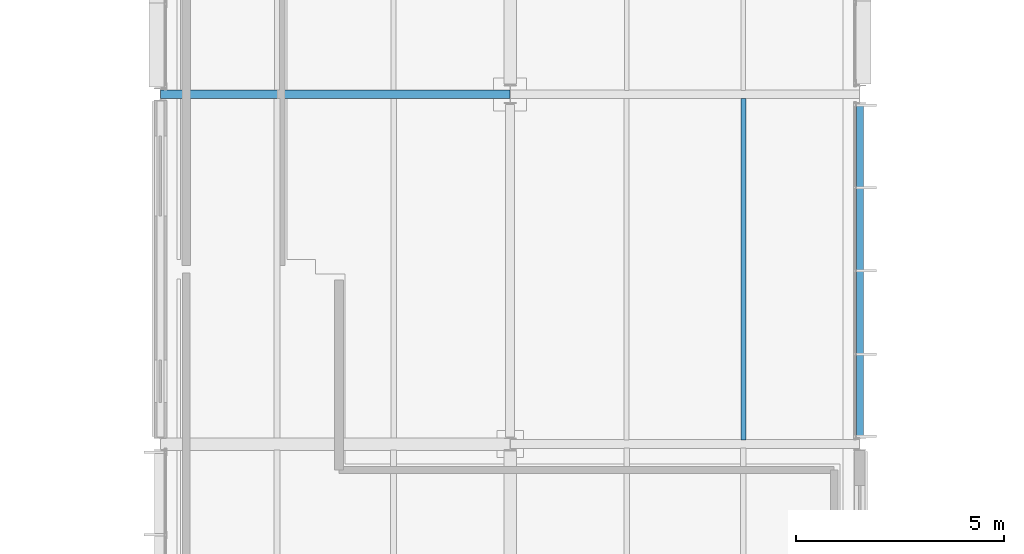
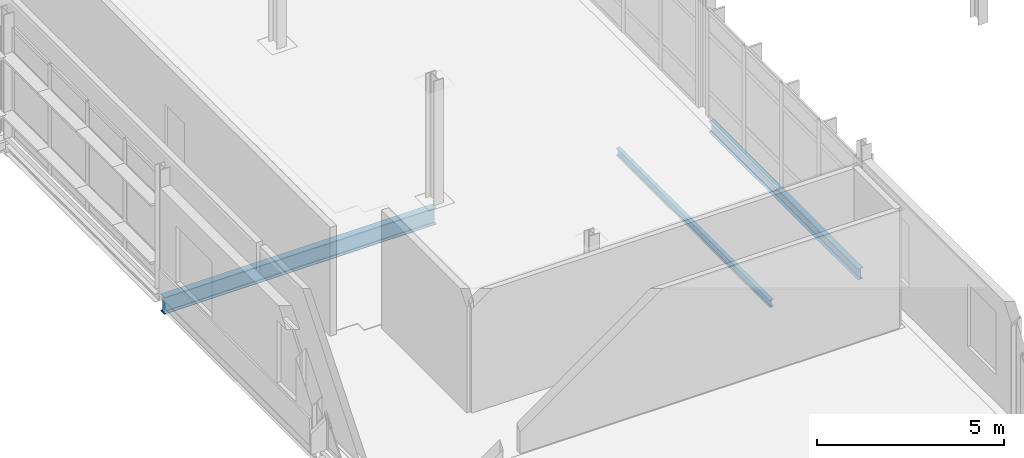
# One storey, part 50 of 103: 3 beams.
"""IFC4 building model written with IfcOpenShell, lengths in metres."""

from ifc_helpers import new_model, si_unit, direction, frame, origin, origin_2d, place, context, subcontext, project, spatial, i_section, extrude, material, material_profile, profile_set, type_object, element, save


model = new_model("IFC4")

# Units and contexts
model_context = context("Model", 3, precision=1e-05, world=origin(), true_north=direction((0.0, 1.0)))
body_context = subcontext(model_context, "Body", "Model", "MODEL_VIEW")
ifc_project = project(units=[si_unit("LENGTHUNIT", "METRE"), si_unit("AREAUNIT", "SQUARE_METRE"), si_unit("VOLUMEUNIT", "CUBIC_METRE"), si_unit("PLANEANGLEUNIT", "RADIAN"), si_unit("MASSUNIT", "GRAM", prefix="KILO")], contexts=[model_context])

# Site, building, storey
site_placement = place(None, origin())
site = spatial("IfcSite", under=ifc_project, at=site_placement, CompositionType="ELEMENT")
building_placement = place(site_placement, origin())
building = spatial("IfcBuilding", under=site, at=building_placement, Name="Mersafa Astral City Hall", CompositionType="ELEMENT")
storey_placement = place(building_placement, frame((0.0, 0.0, 18.0)))
storey = spatial("IfcBuildingStorey", under=building, at=storey_placement, Name="L04", CompositionType="ELEMENT", Elevation=18.0)

# Beams
ifc_material = material(Name="Steel S355", Category="steel")
ifc_material_profile_1 = material_profile(ifc_material, i_section(OverallWidth=0.2099609375, OverallDepth=0.550048828125, WebThickness=0.010986328125, FlangeThickness=0.01708984375, FilletRadius=0.02392578125, at=origin_2d()), Name="IPE 550")
ifc_profile_set_1 = profile_set([ifc_material_profile_1], Name="Steel S355")
beam_type_1 = type_object("IfcBeamType", Name="STR-BM-IPE550", PredefinedType="BEAM", material=ifc_profile_set_1)
beam_1_placement = place(storey_placement, frame((100.802978515625, 109.199951171875, -0.4599609375), z_axis=(1.0, 0.0, 0.0), x_axis=(0.0, 1.0, 0.0)))
element("IfcBeam", 1, at=beam_1_placement, inside=storey, type_object=beam_type_1, Name="L04 Primary girder X 12-13", PredefinedType="BEAM", context=body_context, shape_type="SweptSolid", body=[
    extrude(i_section(OverallWidth=0.2099609375, OverallDepth=0.550048828125, WebThickness=0.010986328125, FlangeThickness=0.01708984375, FilletRadius=0.02392578125, at=origin_2d()), origin(), (0.0, 0.0, 1.0), 8.39404296875),
])
ifc_material_profile_2 = material_profile(ifc_material, i_section(OverallWidth=0.1201171875, OverallDepth=0.239990234375, WebThickness=0.006103515625, FlangeThickness=0.009765625, FilletRadius=0.014892578125, at=origin_2d()), Name="IPE 240")
ifc_profile_set_2 = profile_set([ifc_material_profile_2], Name="Steel S355")
beam_type_2 = type_object("IfcBeamType", Name="STR-BM-JOIST-IPE240", PredefinedType="JOIST", material=ifc_profile_set_2)
beam_2_placement = place(storey_placement, frame((114.800048828125, 100.89990234375, -0.304931640625), z_axis=(0.0, 1.0, 0.0), x_axis=(-1.0, 0.0, 0.0)))
element("IfcBeam", 2, at=beam_2_placement, inside=storey, type_object=beam_type_2, Name="L04 Composite secondary floor joist 741", PredefinedType="JOIST", context=body_context, shape_type="SweptSolid", body=[
    extrude(i_section(OverallWidth=0.1201171875, OverallDepth=0.239990234375, WebThickness=0.006103515625, FlangeThickness=0.009765625, FilletRadius=0.014892578125, at=origin_2d()), origin(), (0.0, 0.0, 1.0), 8.205078125),
])
ifc_material_profile_3 = material_profile(ifc_material, i_section(OverallWidth=0.169921875, OverallDepth=0.360107421875, WebThickness=0.008056640625, FlangeThickness=0.0126953125, FilletRadius=0.01806640625, at=origin_2d()), Name="IPE 360")
ifc_profile_set_3 = profile_set([ifc_material_profile_3], Name="Steel S355")
beam_type_3 = type_object("IfcBeamType", Name="STR-BM-SPANDREL-IPE360", PredefinedType="SPANDREL", material=ifc_profile_set_3)
beam_3_placement = place(storey_placement, frame((117.60009765625, 100.97509765625, -0.364990234375), z_axis=(0.0, 1.0, 0.0), x_axis=(-1.0, 0.0, 0.0)))
element("IfcBeam", 3, at=beam_3_placement, inside=storey, type_object=beam_type_3, Name="L04 Primary girder Y 14-12", PredefinedType="SPANDREL", context=body_context, shape_type="SweptSolid", body=[
    extrude(i_section(OverallWidth=0.169921875, OverallDepth=0.360107421875, WebThickness=0.008056640625, FlangeThickness=0.0126953125, FilletRadius=0.01806640625, at=origin_2d()), origin(), (0.0, 0.0, 1.0), 7.97998046875),
])

save(model, "model.ifc")
